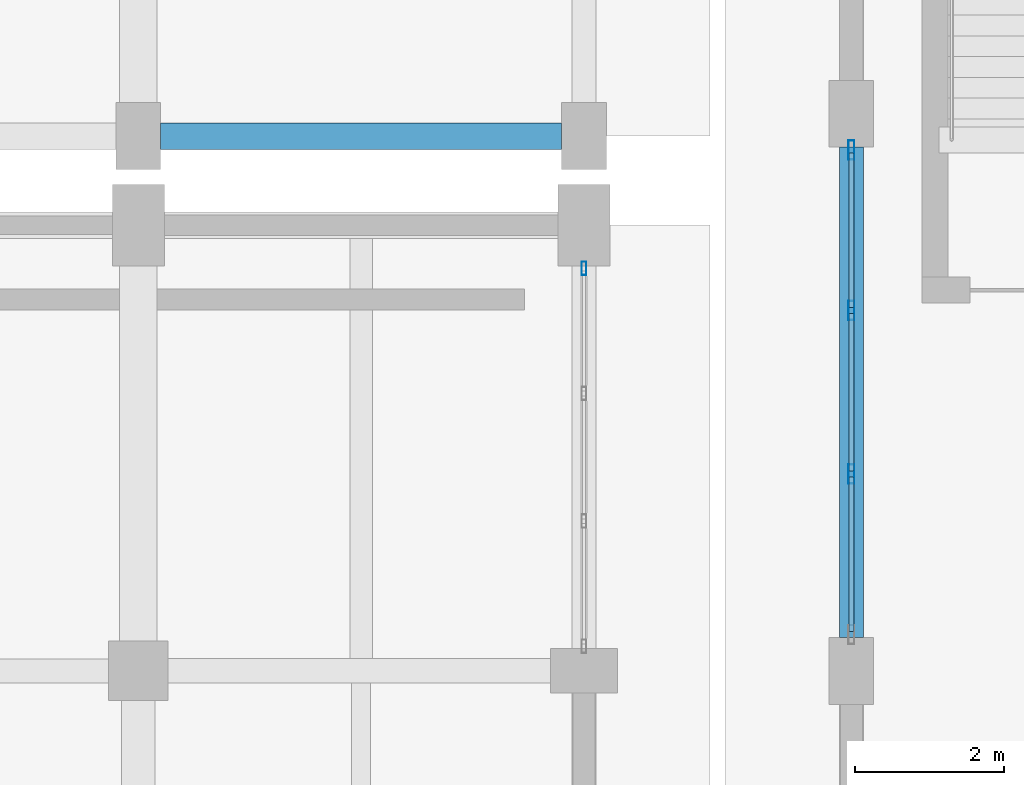
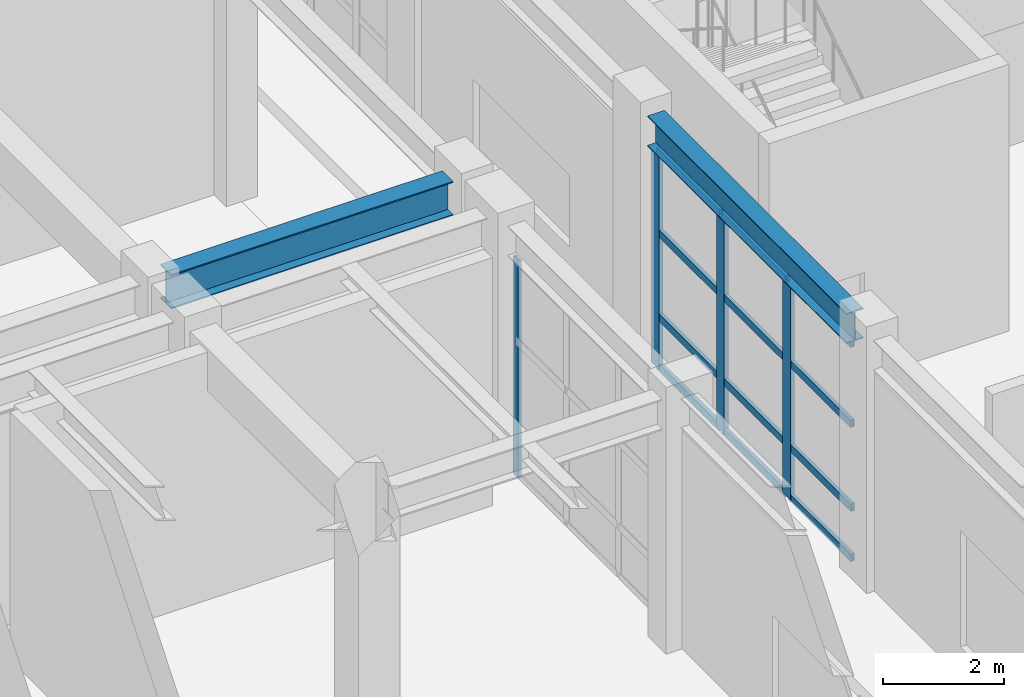
# One storey, part 45 of 91: 16 members, 2 beams, 2 elements without a shape of their own.
"""IFC4 building model written with IfcOpenShell, lengths in metres."""

from ifc_helpers import new_model, si_unit, direction, frame, origin, origin_2d, place, context, subcontext, project, spatial, hollow_rectangle, i_section, extrude, material, layer, layer_set, material_profile, profile_set, type_object, element, aggregate, save


model = new_model("IFC4")

# Units and contexts
model_context = context("Model", 3, precision=1e-05, world=origin(), true_north=direction((0.0, 1.0)))
body_context = subcontext(model_context, "Body", "Model", "MODEL_VIEW")
ifc_project = project(units=[si_unit("LENGTHUNIT", "METRE"), si_unit("AREAUNIT", "SQUARE_METRE"), si_unit("VOLUMEUNIT", "CUBIC_METRE"), si_unit("PLANEANGLEUNIT", "RADIAN"), si_unit("MASSUNIT", "GRAM", prefix="KILO")], contexts=[model_context])

# Site, building, storey
site_placement = place(None, origin())
site = spatial("IfcSite", under=ifc_project, at=site_placement, CompositionType="ELEMENT")
building_placement = place(site_placement, origin())
building = spatial("IfcBuilding", under=site, at=building_placement, Name="Vaelkrest Opera House", CompositionType="ELEMENT")
storey_placement = place(building_placement, origin())
storey = spatial("IfcBuildingStorey", under=building, at=storey_placement, Name="L00", CompositionType="ELEMENT", Elevation=0.0)

# Curtain wall, member
ifc_material_1 = material(Name="Dark bronze anodized aluminium", Category="aluminium")
ifc_layer_1 = layer(ifc_material_1, 0.219970703125)
ifc_layer_set_1 = layer_set([ifc_layer_1], Name="Dark bronze anodized aluminium")
curtain_wall_type_1 = type_object("IfcCurtainWallType", Name="CW05", PredefinedType="NOTDEFINED", material=ifc_layer_set_1)
curtain_wall_1_placement = place(storey_placement, origin())
curtain_wall_1 = element("IfcCurtainWall", 1, at=curtain_wall_1_placement, inside=storey, type_object=curtain_wall_type_1, Name="Curtain wall CW-L00-017", PredefinedType="NOTDEFINED")
ifc_material_profile_1 = material_profile(ifc_material_1, hollow_rectangle(XDim=0.06494140625, YDim=0.179931640625, WallThickness=0.00390625, at=origin_2d()), Name="CWM65X180")
ifc_profile_set_1 = profile_set([ifc_material_profile_1], Name="Dark bronze anodized aluminium")
member_type_1 = type_object("IfcMemberType", Name="CWM01", PredefinedType="MULLION", material=ifc_profile_set_1)
member_1_placement = place(storey_placement, frame((30.0, 15.619384765625, 0.0), z_axis=(0.0, 0.0, 1.0), x_axis=(1.0, 0.0, 0.0)))
member_1 = element("IfcMember", 2, at=member_1_placement, type_object=member_type_1, Name="CW05 mullion 1", PredefinedType="MULLION", context=body_context, shape_type="SweptSolid", body=[
    extrude(hollow_rectangle(XDim=0.06494140625, YDim=0.179931640625, WallThickness=0.00390625, at=origin_2d()), origin(), (0.0, 0.0, 1.0), 4.404052734375),
])
aggregate(curtain_wall_1, [member_1])

# Curtain wall, members
ifc_layer_2 = layer(ifc_material_1, 0.25)
ifc_layer_set_2 = layer_set([ifc_layer_2], Name="Dark bronze anodized aluminium")
curtain_wall_type_2 = type_object("IfcCurtainWallType", Name="CW08", PredefinedType="NOTDEFINED", material=ifc_layer_set_2)
curtain_wall_2_placement = place(storey_placement, origin())
curtain_wall_2 = element("IfcCurtainWall", 3, at=curtain_wall_2_placement, inside=storey, type_object=curtain_wall_type_2, Name="Curtain wall CW-L00-150", PredefinedType="NOTDEFINED")
ifc_material_profile_2 = material_profile(ifc_material_1, hollow_rectangle(XDim=0.080078125, YDim=0.260009765625, WallThickness=0.0048828125, at=origin_2d()), Name="CWM80X260")
ifc_profile_set_2 = profile_set([ifc_material_profile_2], Name="Dark bronze anodized aluminium")
member_type_2 = type_object("IfcMemberType", Name="CWM04", PredefinedType="MULLION", material=ifc_profile_set_2)
member_2_placement = place(storey_placement, frame((33.60009765625, 12.849365234375, 0.0), z_axis=(0.0, 0.0, 1.0), x_axis=(-1.0, 0.0, 0.0)))
member_2 = element("IfcMember", 4, at=member_2_placement, type_object=member_type_2, Name="CW08 mullion 2", PredefinedType="MULLION", context=body_context, shape_type="SweptSolid", body=[
    extrude(hollow_rectangle(XDim=0.080078125, YDim=0.260009765625, WallThickness=0.0048828125, at=origin_2d()), origin(), (0.0, 0.0, 1.0), 4.404052734375),
])
member_3_placement = place(storey_placement, frame((33.60009765625, 15.05078125, 0.0), z_axis=(0.0, 0.0, 1.0), x_axis=(-1.0, 0.0, 0.0)))
member_3 = element("IfcMember", 5, at=member_3_placement, type_object=member_type_2, Name="CW08 mullion 3", PredefinedType="MULLION", context=body_context, shape_type="SweptSolid", body=[
    extrude(hollow_rectangle(XDim=0.080078125, YDim=0.260009765625, WallThickness=0.0048828125, at=origin_2d()), origin(), (0.0, 0.0, 1.0), 4.404052734375),
])
member_4_placement = place(storey_placement, frame((33.60009765625, 17.2119140625, 0.0), z_axis=(0.0, 0.0, 1.0), x_axis=(-1.0, 0.0, 0.0)))
member_4 = element("IfcMember", 6, at=member_4_placement, type_object=member_type_2, Name="CW08 mullion 4", PredefinedType="MULLION", context=body_context, shape_type="SweptSolid", body=[
    extrude(hollow_rectangle(XDim=0.080078125, YDim=0.260009765625, WallThickness=0.0048828125, at=origin_2d()), origin(), (0.0, 0.0, 1.0), 4.404052734375),
])
ifc_material_profile_3 = material_profile(ifc_material_1, hollow_rectangle(XDim=0.070068359375, YDim=0.14990234375, WallThickness=0.004150390625, at=origin_2d()), Name="CWT70X150")
ifc_profile_set_3 = profile_set([ifc_material_profile_3], Name="Dark bronze anodized aluminium")
member_type_3 = type_object("IfcMemberType", Name="CWT02", PredefinedType="USERDEFINED", material=ifc_profile_set_3)
member_5_placement = place(storey_placement, frame((33.60009765625, 10.72802734375, 0.034912109375), z_axis=(0.0, 1.0, 0.0), x_axis=(-1.0, 0.0, 0.0)))
member_5 = element("IfcMember", 7, at=member_5_placement, type_object=member_type_3, Name="CW08 transom 1.1", ObjectType="TRANSOM", PredefinedType="USERDEFINED", context=body_context, shape_type="SweptSolid", body=[
    extrude(hollow_rectangle(XDim=0.070068359375, YDim=0.14990234375, WallThickness=0.004150390625, at=origin_2d()), origin(), (0.0, 0.0, 1.0), 2.081298828125),
])
member_6_placement = place(storey_placement, frame((33.60009765625, 10.72802734375, 1.050048828125), z_axis=(0.0, 1.0, 0.0), x_axis=(-1.0, 0.0, 0.0)))
member_6 = element("IfcMember", 8, at=member_6_placement, type_object=member_type_3, Name="CW08 transom 1.2", ObjectType="TRANSOM", PredefinedType="USERDEFINED", context=body_context, shape_type="SweptSolid", body=[
    extrude(hollow_rectangle(XDim=0.070068359375, YDim=0.14990234375, WallThickness=0.004150390625, at=origin_2d()), origin(), (0.0, 0.0, 1.0), 2.081298828125),
])
member_7_placement = place(storey_placement, frame((33.60009765625, 10.72802734375, 2.75), z_axis=(0.0, 1.0, 0.0), x_axis=(-1.0, 0.0, 0.0)))
member_7 = element("IfcMember", 9, at=member_7_placement, type_object=member_type_3, Name="CW08 transom 1.3", ObjectType="TRANSOM", PredefinedType="USERDEFINED", context=body_context, shape_type="SweptSolid", body=[
    extrude(hollow_rectangle(XDim=0.070068359375, YDim=0.14990234375, WallThickness=0.004150390625, at=origin_2d()), origin(), (0.0, 0.0, 1.0), 2.081298828125),
])
member_8_placement = place(storey_placement, frame((33.60009765625, 10.72802734375, 4.368896484375), z_axis=(0.0, 1.0, 0.0), x_axis=(-1.0, 0.0, 0.0)))
member_8 = element("IfcMember", 10, at=member_8_placement, type_object=member_type_3, Name="CW08 transom 1.4", ObjectType="TRANSOM", PredefinedType="USERDEFINED", context=body_context, shape_type="SweptSolid", body=[
    extrude(hollow_rectangle(XDim=0.070068359375, YDim=0.14990234375, WallThickness=0.004150390625, at=origin_2d()), origin(), (0.0, 0.0, 1.0), 2.081298828125),
])
member_9_placement = place(storey_placement, frame((33.60009765625, 12.889404296875, 0.034912109375), z_axis=(0.0, 1.0, 0.0), x_axis=(-1.0, 0.0, 0.0)))
member_9 = element("IfcMember", 11, at=member_9_placement, type_object=member_type_3, Name="CW08 transom 2.1", ObjectType="TRANSOM", PredefinedType="USERDEFINED", context=body_context, shape_type="SweptSolid", body=[
    extrude(hollow_rectangle(XDim=0.070068359375, YDim=0.14990234375, WallThickness=0.004150390625, at=origin_2d()), origin(), (0.0, 0.0, 1.0), 2.121337890625),
])
member_10_placement = place(storey_placement, frame((33.60009765625, 12.889404296875, 1.050048828125), z_axis=(0.0, 1.0, 0.0), x_axis=(-1.0, 0.0, 0.0)))
member_10 = element("IfcMember", 12, at=member_10_placement, type_object=member_type_3, Name="CW08 transom 2.2", ObjectType="TRANSOM", PredefinedType="USERDEFINED", context=body_context, shape_type="SweptSolid", body=[
    extrude(hollow_rectangle(XDim=0.070068359375, YDim=0.14990234375, WallThickness=0.004150390625, at=origin_2d()), origin(), (0.0, 0.0, 1.0), 2.121337890625),
])
member_11_placement = place(storey_placement, frame((33.60009765625, 12.889404296875, 2.75), z_axis=(0.0, 1.0, 0.0), x_axis=(-1.0, 0.0, 0.0)))
member_11 = element("IfcMember", 13, at=member_11_placement, type_object=member_type_3, Name="CW08 transom 2.3", ObjectType="TRANSOM", PredefinedType="USERDEFINED", context=body_context, shape_type="SweptSolid", body=[
    extrude(hollow_rectangle(XDim=0.070068359375, YDim=0.14990234375, WallThickness=0.004150390625, at=origin_2d()), origin(), (0.0, 0.0, 1.0), 2.121337890625),
])
member_12_placement = place(storey_placement, frame((33.60009765625, 12.889404296875, 4.368896484375), z_axis=(0.0, 1.0, 0.0), x_axis=(-1.0, 0.0, 0.0)))
member_12 = element("IfcMember", 14, at=member_12_placement, type_object=member_type_3, Name="CW08 transom 2.4", ObjectType="TRANSOM", PredefinedType="USERDEFINED", context=body_context, shape_type="SweptSolid", body=[
    extrude(hollow_rectangle(XDim=0.070068359375, YDim=0.14990234375, WallThickness=0.004150390625, at=origin_2d()), origin(), (0.0, 0.0, 1.0), 2.121337890625),
])
member_13_placement = place(storey_placement, frame((33.60009765625, 15.090576171875, 0.034912109375), z_axis=(0.0, 1.0, 0.0), x_axis=(-1.0, 0.0, 0.0)))
member_13 = element("IfcMember", 15, at=member_13_placement, type_object=member_type_3, Name="CW08 transom 3.1", ObjectType="TRANSOM", PredefinedType="USERDEFINED", context=body_context, shape_type="SweptSolid", body=[
    extrude(hollow_rectangle(XDim=0.070068359375, YDim=0.14990234375, WallThickness=0.004150390625, at=origin_2d()), origin(), (0.0, 0.0, 1.0), 2.08154296875),
])
member_14_placement = place(storey_placement, frame((33.60009765625, 15.090576171875, 1.050048828125), z_axis=(0.0, 1.0, 0.0), x_axis=(-1.0, 0.0, 0.0)))
member_14 = element("IfcMember", 16, at=member_14_placement, type_object=member_type_3, Name="CW08 transom 3.2", ObjectType="TRANSOM", PredefinedType="USERDEFINED", context=body_context, shape_type="SweptSolid", body=[
    extrude(hollow_rectangle(XDim=0.070068359375, YDim=0.14990234375, WallThickness=0.004150390625, at=origin_2d()), origin(), (0.0, 0.0, 1.0), 2.08154296875),
])
member_15_placement = place(storey_placement, frame((33.60009765625, 15.090576171875, 2.75), z_axis=(0.0, 1.0, 0.0), x_axis=(-1.0, 0.0, 0.0)))
member_15 = element("IfcMember", 17, at=member_15_placement, type_object=member_type_3, Name="CW08 transom 3.3", ObjectType="TRANSOM", PredefinedType="USERDEFINED", context=body_context, shape_type="SweptSolid", body=[
    extrude(hollow_rectangle(XDim=0.070068359375, YDim=0.14990234375, WallThickness=0.004150390625, at=origin_2d()), origin(), (0.0, 0.0, 1.0), 2.08154296875),
])
member_16_placement = place(storey_placement, frame((33.60009765625, 15.090576171875, 4.368896484375), z_axis=(0.0, 1.0, 0.0), x_axis=(-1.0, 0.0, 0.0)))
member_16 = element("IfcMember", 18, at=member_16_placement, type_object=member_type_3, Name="CW08 transom 3.4", ObjectType="TRANSOM", PredefinedType="USERDEFINED", context=body_context, shape_type="SweptSolid", body=[
    extrude(hollow_rectangle(XDim=0.070068359375, YDim=0.14990234375, WallThickness=0.004150390625, at=origin_2d()), origin(), (0.0, 0.0, 1.0), 2.08154296875),
])
aggregate(curtain_wall_2, [member_2, member_3, member_4, member_5, member_6, member_7, member_8, member_9, member_10, member_11, member_12, member_13, member_14, member_15, member_16])

# Beams
ifc_material_2 = material(Name="Steel A992 Gr50", Category="steel")
ifc_material_profile_4 = material_profile(ifc_material_2, i_section(OverallWidth=0.323974609375, OverallDepth=0.611083984375, WebThickness=0.0126953125, FlangeThickness=0.01904296875, at=origin_2d()), Name="W24X104")
ifc_profile_set_4 = profile_set([ifc_material_profile_4], Name="Steel A992 Gr50")
beam_type_1 = type_object("IfcBeamType", Name="SP01", PredefinedType="SPANDREL", material=ifc_profile_set_4)
beam_1_placement = place(storey_placement, frame((33.60009765625, 10.64990234375, 4.7744140625), z_axis=(0.0, 1.0, 0.0), x_axis=(-1.0, 0.0, 0.0)))
element("IfcBeam", 19, at=beam_1_placement, inside=storey, type_object=beam_type_1, Name="Beam BM-V4-L00-1998", PredefinedType="SPANDREL", context=body_context, shape_type="SweptSolid", body=[
    extrude(i_section(OverallWidth=0.323974609375, OverallDepth=0.611083984375, WebThickness=0.0126953125, FlangeThickness=0.01904296875, at=origin_2d()), origin(), (0.0, 0.0, 1.0), 6.60009765625),
])
ifc_material_profile_5 = material_profile(ifc_material_2, i_section(OverallWidth=0.35498046875, OverallDepth=0.695068359375, WebThickness=0.015380859375, FlangeThickness=0.02490234375, at=origin_2d()), Name="W27X146")
ifc_profile_set_5 = profile_set([ifc_material_profile_5], Name="Steel A992 Gr50")
beam_type_2 = type_object("IfcBeamType", Name="SP02", PredefinedType="SPANDREL", material=ifc_profile_set_5)
beam_2_placement = place(storey_placement, frame((24.300048828125, 17.39990234375, 4.732421875), z_axis=(1.0, 0.0, 0.0), x_axis=(0.0, 1.0, 0.0)))
element("IfcBeam", 20, at=beam_2_placement, inside=storey, type_object=beam_type_2, Name="Beam BM-V2-L00-0756", PredefinedType="SPANDREL", context=body_context, shape_type="SweptSolid", body=[
    extrude(i_section(OverallWidth=0.35498046875, OverallDepth=0.695068359375, WebThickness=0.015380859375, FlangeThickness=0.02490234375, at=origin_2d()), origin(), (0.0, 0.0, 1.0), 5.39990234375),
])

save(model, "model.ifc")
